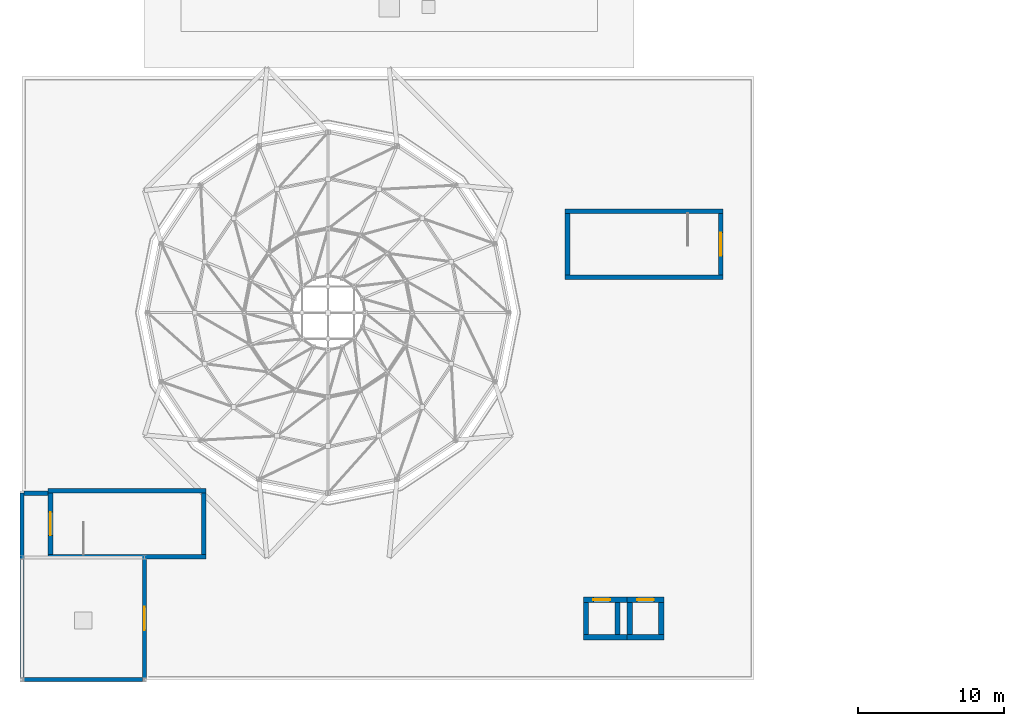
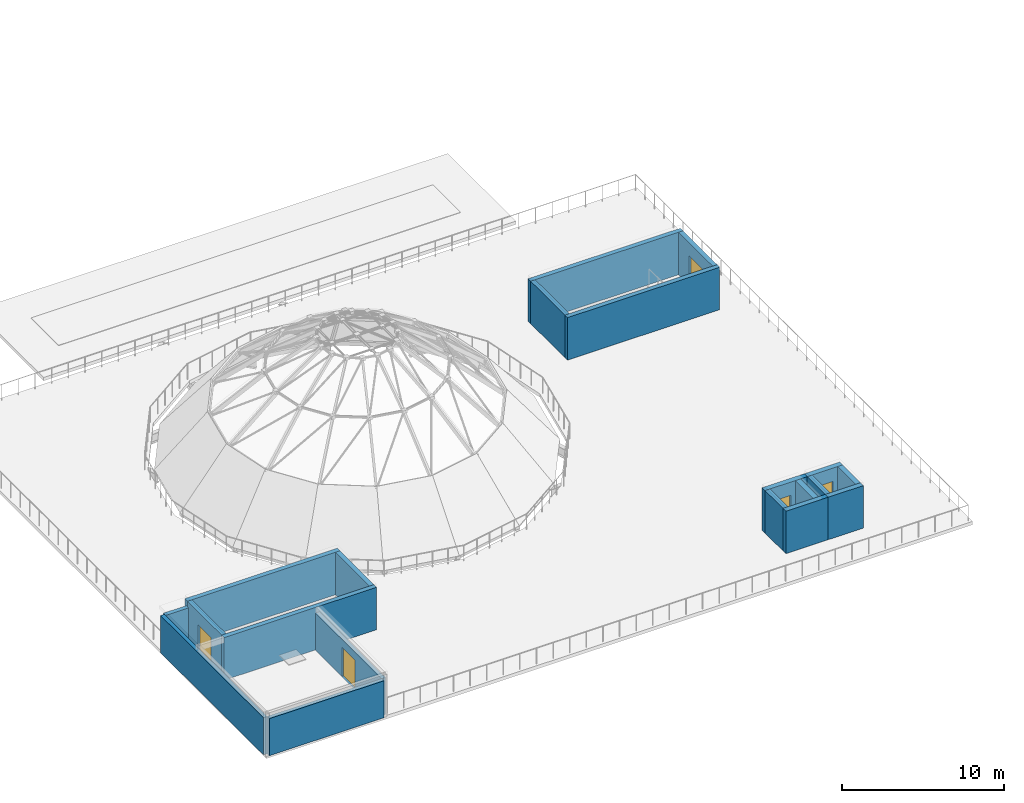
# One storey, part 21 of 40: 20 walls, 5 doors, 5 openings.
"""IFC4 building model written with IfcOpenShell, lengths in metres."""

import ifcopenshell
import ifcopenshell.guid

model = None  # the IFC model being written
_history = None  # IfcOwnerHistory: only IFC2X3 demands one
_inside = {}  # id of a spatial element -> (the spatial element, [elements in it])
_under = {}  # id of a project, library or spatial element -> (it, [spatial elements below it])
_declared = {}  # id of a project -> (the project, [libraries it declares])
_typed = {}  # id of a type object -> (the type object, [elements of that type])
_made_of = {}  # id of a material, layer set ... -> (it, [elements and type objects made of it])


def new_model(schema):
    """Start an empty IFC model of exactly this schema.

    Asked for "IFC4X3", IfcOpenShell would pick the latest addendum, in which some entities
    have other attributes; the version numbers below select the first issue.
    IFC2X3 requires an IfcOwnerHistory on every rooted entity: one is made here for all.
    """
    global model, _history
    if schema == "IFC4X3":
        model = ifcopenshell.file(schema_version=(4, 3, 0, 0))
    else:
        model = ifcopenshell.file(schema=schema)
    _inside.clear()
    _under.clear()
    _declared.clear()
    _typed.clear()
    _made_of.clear()
    _history = None
    if model.schema == "IFC2X3":
        org = make("IfcOrganization", Name="unknown")
        user = make(
            "IfcPersonAndOrganization",
            ThePerson=make("IfcPerson", FamilyName="unknown"),
            TheOrganization=org,
        )
        app = make(
            "IfcApplication",
            ApplicationDeveloper=org,
            Version="unknown",
            ApplicationFullName="unknown",
            ApplicationIdentifier="unknown",
        )
        _history = make(
            "IfcOwnerHistory",
            OwningUser=user,
            OwningApplication=app,
            ChangeAction="ADDED",
            CreationDate=0,
        )
    return model


def make(cls, **values):
    """One entity of the class cls with the attributes given. An attribute that is None is left unset."""
    return model.create_entity(
        cls, **{name: value for name, value in values.items() if value is not None}
    )


def rooted(cls, **values):
    """An entity with a GlobalId (a new one), such as an element, a storey or a relation."""
    return make(cls, GlobalId=ifcopenshell.guid.new(), OwnerHistory=_history, **values)


def si_unit(unit_type, name, prefix=None):
    """IfcSIUnit, for example si_unit("LENGTHUNIT", "METRE", prefix="MILLI")."""
    return make("IfcSIUnit", UnitType=unit_type, Prefix=prefix, Name=name)


def assignment(units):
    """IfcUnitAssignment: the units of a project."""
    return None if units is None else make("IfcUnitAssignment", Units=units)


def point(xyz):
    """IfcCartesianPoint."""
    return None if xyz is None else make("IfcCartesianPoint", Coordinates=xyz)


def direction(xyz):
    """IfcDirection."""
    return None if xyz is None else make("IfcDirection", DirectionRatios=xyz)


def frame(location, z_axis=None, x_axis=None):
    """IfcAxis2Placement3D, a coordinate frame: its origin and axes. An axis left out is left unset."""
    return make(
        "IfcAxis2Placement3D",
        Location=point(location),
        Axis=direction(z_axis),
        RefDirection=direction(x_axis),
    )


def frame_2d(location, x_axis=None):
    """IfcAxis2Placement2D, a coordinate frame in the plane: its origin and x axis."""
    return make(
        "IfcAxis2Placement2D", Location=point(location), RefDirection=direction(x_axis)
    )


def origin():
    """The frame at (0, 0, 0) with its axes left unset."""
    return frame((0.0, 0.0, 0.0))


def place(relative_to, where):
    """IfcLocalPlacement: puts the frame where relative to a parent placement (None: the world)."""
    return make(
        "IfcLocalPlacement", PlacementRelTo=relative_to, RelativePlacement=where
    )


def context(
    kind, dimensions, precision=None, world=None, true_north=None, identifier=None
):
    """IfcGeometricRepresentationContext, for example the 3D "Model" context."""
    return make(
        "IfcGeometricRepresentationContext",
        ContextIdentifier=identifier,
        ContextType=kind,
        CoordinateSpaceDimension=dimensions,
        Precision=precision,
        WorldCoordinateSystem=world,
        TrueNorth=true_north,
    )


def subcontext(parent, identifier, kind, view, scale=None):
    """IfcGeometricRepresentationSubContext, for example "Body" below "Model"."""
    return make(
        "IfcGeometricRepresentationSubContext",
        ContextIdentifier=identifier,
        ContextType=kind,
        ParentContext=parent,
        TargetScale=scale,
        TargetView=view,
    )


def project(units=None, contexts=None):
    """IfcProject with its units and contexts."""
    return rooted(
        "IfcProject",
        Name="project",
        RepresentationContexts=contexts,
        UnitsInContext=assignment(units),
    )


def spatial(cls, under=None, at=None, **own):
    """A site, building, storey or space (cls), placed at a placement, below another one or the project."""
    s = rooted(cls, ObjectPlacement=at, **own)
    if under is not None:
        _under.setdefault(under.id(), (under, []))[1].append(s)
    return s


def profile(cls, at=None, kind="AREA", **sizes):
    """A parametric profile (cls). Its sizes go by their IFC names, for example OverallWidth=200.0."""
    return make(cls, ProfileType=kind, Position=at, **sizes)


def rectangle(**sizes):
    """IfcRectangleProfileDef."""
    return profile("IfcRectangleProfileDef", **sizes)


def extrude(swept, where, along, depth):
    """IfcExtrudedAreaSolid: the profile swept, set in the frame where, extruded along a direction by depth."""
    return make(
        "IfcExtrudedAreaSolid",
        SweptArea=swept,
        Position=where,
        ExtrudedDirection=direction(along),
        Depth=depth,
    )


def shape(context_of_items, identifier, shape_type, items):
    """IfcShapeRepresentation: the items that make up one representation, for example the "Body"."""
    return make(
        "IfcShapeRepresentation",
        ContextOfItems=context_of_items,
        RepresentationIdentifier=identifier,
        RepresentationType=shape_type,
        Items=items,
    )


def material(Name=None, Category=None):
    """IfcMaterial."""
    return make("IfcMaterial", Name=Name, Category=Category)


def layer(
    of_material, thickness, ventilated=None, Name=None, Category=None, Priority=None
):
    """IfcMaterialLayer: one layer of a wall or slab, of a material (None: an air gap)."""
    return make(
        "IfcMaterialLayer",
        Material=of_material,
        LayerThickness=thickness,
        IsVentilated=ventilated,
        Name=Name,
        Category=Category,
        Priority=Priority,
    )


def layer_set(layers, Name=None):
    """IfcMaterialLayerSet."""
    return make("IfcMaterialLayerSet", MaterialLayers=layers, LayerSetName=Name)


def made_of(thing, what):
    """Note that an element or type object is made of a material, layer set ...; save() writes the relation."""
    if what is not None:
        _made_of.setdefault(what.id(), (what, []))[1].append(thing)
    return thing


def type_object(cls, material=None, **own):
    """A type object (cls), such as IfcWallType, which elements share."""
    return made_of(rooted(cls, **own), material)


def element(
    cls,
    number,
    at=None,
    inside=None,
    cuts=None,
    type_object=None,
    material=None,
    context=None,
    identifier="Body",
    shape_type=None,
    held_by="IfcProductDefinitionShape",
    body=None,
    shapes=None,
    **own,
):
    """One element of the class cls, such as IfcWall. Its Tag is "e" and its number.

    at: its placement. inside: the storey or other place that contains it. cuts: it is an
    opening in that element (IfcRelVoidsElement). A single representation is given by context,
    identifier, shape_type and body (its items); several are given by shapes. held_by: the class
    of the entity that holds the representations. save() writes the other relations.
    """
    e = rooted(cls, Tag="e%d" % number, ObjectPlacement=at, **own)
    if body is not None:
        shapes = [shape(context, identifier, shape_type, body)]
    if shapes is not None:
        e.Representation = make(held_by, Representations=shapes)
    if inside is not None:
        _inside.setdefault(inside.id(), (inside, []))[1].append(e)
    if cuts is not None:
        rooted(
            "IfcRelVoidsElement", RelatingBuildingElement=cuts, RelatedOpeningElement=e
        )
    if type_object is not None:
        _typed.setdefault(type_object.id(), (type_object, []))[1].append(e)
    return made_of(e, material)


def fill(opening, filler):
    """IfcRelFillsElement: the door or window that sits in an opening."""
    return rooted(
        "IfcRelFillsElement",
        RelatingOpeningElement=opening,
        RelatedBuildingElement=filler,
    )


def aggregate(whole, parts):
    """IfcRelAggregates: a whole, such as a stair, and the parts it consists of."""
    return rooted("IfcRelAggregates", RelatingObject=whole, RelatedObjects=parts)


def save(model, path):
    """Write the relations noted so far, then the file.

    IfcRelAggregates (storeys below a building ...), IfcRelContainedInSpatialStructure (elements
    in a storey), IfcRelDefinesByType, IfcRelAssociatesMaterial and IfcRelDeclares: one each for
    every whole, place, type object, material and project.
    """
    for whole, parts in _under.values():
        aggregate(whole, parts)
    for where, things in _inside.values():
        rooted(
            "IfcRelContainedInSpatialStructure",
            RelatedElements=things,
            RelatingStructure=where,
        )
    for kind, things in _typed.values():
        rooted("IfcRelDefinesByType", RelatedObjects=things, RelatingType=kind)
    for what, things in _made_of.values():
        rooted("IfcRelAssociatesMaterial", RelatedObjects=things, RelatingMaterial=what)
    for by, libraries in _declared.values():
        rooted("IfcRelDeclares", RelatingContext=by, RelatedDefinitions=libraries)
    model.write(path)


model = new_model("IFC4")

# Units and contexts
model_context = context("Model", 3, precision=1e-05, world=origin(), true_north=direction((0.0, 1.0)))
body_context = subcontext(model_context, "Body", "Model", "MODEL_VIEW")
ifc_project = project(units=[si_unit("LENGTHUNIT", "METRE"), si_unit("AREAUNIT", "SQUARE_METRE"), si_unit("VOLUMEUNIT", "CUBIC_METRE"), si_unit("PLANEANGLEUNIT", "RADIAN"), si_unit("MASSUNIT", "GRAM", prefix="KILO"), si_unit("THERMODYNAMICTEMPERATUREUNIT", "KELVIN")], contexts=[model_context])

# Site, building, storey
site_placement = place(None, origin())
site = spatial("IfcSite", under=ifc_project, at=site_placement, CompositionType="ELEMENT")
building_placement = place(site_placement, origin())
building = spatial("IfcBuilding", under=site, at=building_placement, Name="Lustrewick Department Store", CompositionType="ELEMENT")
storey_placement = place(building_placement, frame((0.0, 0.0, 31.800048828125)))
storey = spatial("IfcBuildingStorey", under=building, at=storey_placement, Name="L07", CompositionType="ELEMENT", Elevation=31.800048828125)

# Wall, opening, door
ifc_material_1 = material(Name="Precast concrete C40", Category="concrete")
ifc_layer_1 = layer(ifc_material_1, 0.280029296875, Name="Precast concrete C40")
ifc_layer_set_1 = layer_set([ifc_layer_1], Name="Precast concrete C40")
wall_type_1 = type_object("IfcWallType", Name="EW03", PredefinedType="STANDARD", material=ifc_layer_set_1)
wall_1_placement = place(storey_placement, frame((16.800048828125, 42.125, 0.0), z_axis=(0.0, 0.0, 1.0), x_axis=(0.0, 1.0, 0.0)))
wall_1 = element("IfcWall", 1, at=wall_1_placement, inside=storey, type_object=wall_type_1, Name="L07 Refuge Lounge Enclosure Wall F", PredefinedType="STANDARD", context=body_context, shape_type="SweptSolid", body=[
    extrude(rectangle(XDim=8.14990234375, YDim=0.280029296875, at=frame_2d((4.074951171875, 0.0))), origin(), (0.0, 0.0, 1.0), 2.7900390625),
])
opening_1_placement = place(wall_1_placement, frame((3.27490234375, 0.0, 0.0)))
opening_1 = element("IfcOpeningElement", 2, at=opening_1_placement, cuts=wall_1, Name="Opening D-TR01", PredefinedType="OPENING", context=body_context, shape_type="SweptSolid", body=[
    extrude(rectangle(XDim=1.60009765625, YDim=2.199951171875, at=frame_2d((0.800048828125, 1.10009765625))), frame((0.0, 0.14990234375, 0.0), z_axis=(0.0, -1.0, 0.0), x_axis=(1.0, 0.0, 0.0)), (0.0, 0.0, 1.0), 0.300048828125),
])
ifc_material_2 = material(Name="Steel fire-rated terrace exit door EI 60", Category="steel")
door_type_1 = type_object("IfcDoorType", Name="DT-03", OperationType="NOTDEFINED", PredefinedType="DOOR", material=ifc_material_2)
door_1_placement = place(opening_1_placement, origin())
door_1 = element("IfcDoor", 3, at=door_1_placement, inside=storey, type_object=door_type_1, Name="L07 Terrace and Refuge Access Door D-TR01", OperationType="DOUBLE_DOOR_SINGLE_SWING", OverallHeight=2.199951171875, OverallWidth=1.60009765625, PredefinedType="DOOR", context=body_context, shape_type="SweptSolid", body=[
    extrude(rectangle(XDim=1.60009765625, YDim=2.199951171875, at=frame_2d((0.800048828125, 1.10009765625))), frame((0.0, 0.02490234375, 0.0), z_axis=(0.0, -1.0, 0.0), x_axis=(1.0, 0.0, 0.0)), (0.0, 0.0, 1.0), 0.050048828125),
])
fill(opening_1, door_1)

# Walls
wall_2_placement = place(storey_placement, frame((16.675048828125, 42.0, 0.0), z_axis=(0.0, 0.0, 1.0), x_axis=(-1.0, 0.0, 0.0)))
element("IfcWall", 4, at=wall_2_placement, inside=storey, type_object=wall_type_1, Name="L07 Refuge Lounge Enclosure Wall B", PredefinedType="STANDARD", context=body_context, shape_type="SweptSolid", body=[
    extrude(rectangle(XDim=8.150146484375, YDim=0.280029296875, at=frame_2d((4.0751953125, 0.0))), origin(), (0.0, 0.0, 1.0), 2.7900390625),
])
wall_3_placement = place(storey_placement, frame((8.39990234375, 42.125, 0.0), z_axis=(0.0, 0.0, 1.0), x_axis=(0.0, 1.0, 0.0)))
element("IfcWall", 5, at=wall_3_placement, inside=storey, type_object=wall_type_1, Name="L07 Refuge Lounge Enclosure Wall L", PredefinedType="STANDARD", context=body_context, shape_type="SweptSolid", body=[
    extrude(rectangle(XDim=12.675048828125, YDim=0.280029296875, at=frame_2d((6.33740234375, 0.0))), origin(), (0.0, 0.0, 1.0), 2.7900390625),
])
wall_4_placement = place(storey_placement, frame((10.179931640625, 54.800048828125, 0.0), z_axis=(0.0, 0.0, 1.0), x_axis=(-1.0, 0.0, 0.0)))
element("IfcWall", 6, at=wall_4_placement, inside=storey, type_object=wall_type_1, Name="L07 Refuge Lounge Enclosure Wall N2", PredefinedType="STANDARD", context=body_context, shape_type="SweptSolid", body=[
    extrude(rectangle(XDim=1.639892578125, YDim=0.280029296875, at=frame_2d((0.81982421875, 0.0))), origin(), (0.0, 0.0, 1.0), 2.7900390625),
])
ifc_material_3 = material(Name="Concrete C40", Category="concrete")
ifc_layer_2 = layer(ifc_material_3, 0.360107421875, Name="Concrete C40")
ifc_layer_set_2 = layer_set([ifc_layer_2], Name="Concrete C40")
wall_type_2 = type_object("IfcWallType", Name="SW04", PredefinedType="SHEAR", material=ifc_layer_set_2)
wall_5_placement = place(storey_placement, frame((46.93994140625, 44.919921875, 0.0), z_axis=(0.0, 0.0, 1.0), x_axis=(1.0, 0.0, 0.0)))
element("IfcWall", 7, at=wall_5_placement, inside=storey, type_object=wall_type_2, Name="L07 Lift PL-01 Shaft Wall -Y", PredefinedType="SHEAR", context=body_context, shape_type="SweptSolid", body=[
    extrude(rectangle(XDim=3.0, YDim=0.360107421875, at=frame_2d((1.5, 0.0))), origin(), (0.0, 0.0, 1.0), 3.199951171875),
])
wall_6_placement = place(storey_placement, frame((49.280029296875, 45.10009765625, 0.0), z_axis=(0.0, 0.0, 1.0), x_axis=(0.0, 1.0, 0.0)))
element("IfcWall", 8, at=wall_6_placement, inside=storey, type_object=wall_type_2, Name="L07 Lift PL-01 Shaft Wall +X", PredefinedType="SHEAR", context=body_context, shape_type="SweptSolid", body=[
    extrude(rectangle(XDim=2.199951171875, YDim=0.360107421875, at=frame_2d((1.10009765625, 0.0))), origin(), (0.0, 0.0, 1.0), 3.199951171875),
])

# Wall, opening, door
wall_7_placement = place(storey_placement, frame((49.93994140625, 47.47998046875, 0.0), z_axis=(0.0, 0.0, 1.0), x_axis=(-1.0, 0.0, 0.0)))
wall_7 = element("IfcWall", 9, at=wall_7_placement, inside=storey, type_object=wall_type_2, Name="L07 Lift PL-01 Shaft Wall +Y", PredefinedType="SHEAR", context=body_context, shape_type="SweptSolid", body=[
    extrude(rectangle(XDim=3.0, YDim=0.360107421875, at=frame_2d((1.5, 0.0))), origin(), (0.0, 0.0, 1.0), 3.199951171875),
])
opening_2_placement = place(wall_7_placement, frame((1.1650390625, 0.0, 0.0)))
opening_2 = element("IfcOpeningElement", 10, at=opening_2_placement, cuts=wall_7, Name="Opening LD-L07-03", PredefinedType="OPENING", context=body_context, shape_type="SweptSolid", body=[
    extrude(rectangle(XDim=1.14990234375, YDim=2.199951171875, at=frame_2d((0.574951171875, 1.10009765625))), frame((0.0, 0.18994140625, 0.0), z_axis=(0.0, -1.0, 0.0), x_axis=(1.0, 0.0, 0.0)), (0.0, 0.0, 1.0), 0.380126953125),
])
ifc_material_4 = material(Name="Brushed bronze passenger lift landing door EI 60", Category="steel")
door_type_2 = type_object("IfcDoorType", Name="DT-16", OperationType="NOTDEFINED", PredefinedType="DOOR", material=ifc_material_4)
door_2_placement = place(opening_2_placement, frame((1.14990234375, 0.0, 0.0), z_axis=(0.0, 0.0, 1.0), x_axis=(-1.0, 0.0, 0.0)))
door_2 = element("IfcDoor", 11, at=door_2_placement, inside=storey, type_object=door_type_2, Name="L07 Lift PL-01 Sliding Landing Door LD-L07-03", OperationType="DOUBLE_DOOR_SLIDING", OverallHeight=2.199951171875, OverallWidth=1.14990234375, PredefinedType="DOOR", context=body_context, shape_type="SweptSolid", body=[
    extrude(rectangle(XDim=1.14990234375, YDim=2.199951171875, at=frame_2d((0.574951171875, 1.10009765625))), frame((0.0, 0.02490234375, 0.0), z_axis=(0.0, -1.0, 0.0), x_axis=(1.0, 0.0, 0.0)), (0.0, 0.0, 1.0), 0.050048828125),
])
fill(opening_2, door_2)

# Walls
wall_8_placement = place(storey_placement, frame((47.1201171875, 47.300048828125, 0.0), z_axis=(0.0, 0.0, 1.0), x_axis=(0.0, -1.0, 0.0)))
element("IfcWall", 12, at=wall_8_placement, inside=storey, type_object=wall_type_2, Name="L07 Lift PL-01 Shaft Wall -X", PredefinedType="SHEAR", context=body_context, shape_type="SweptSolid", body=[
    extrude(rectangle(XDim=2.199951171875, YDim=0.360107421875, at=frame_2d((1.10009765625, 0.0))), origin(), (0.0, 0.0, 1.0), 3.199951171875),
])
wall_9_placement = place(storey_placement, frame((49.93994140625, 44.919921875, 0.0), z_axis=(0.0, 0.0, 1.0), x_axis=(1.0, 0.0, 0.0)))
element("IfcWall", 13, at=wall_9_placement, inside=storey, type_object=wall_type_2, Name="L07 Lift PL-02 Shaft Wall -Y", PredefinedType="SHEAR", context=body_context, shape_type="SweptSolid", body=[
    extrude(rectangle(XDim=2.52001953125, YDim=0.360107421875, at=frame_2d((1.260009765625, 0.0))), origin(), (0.0, 0.0, 1.0), 3.199951171875),
])
wall_10_placement = place(storey_placement, frame((52.280029296875, 45.10009765625, 0.0), z_axis=(0.0, 0.0, 1.0), x_axis=(0.0, 1.0, 0.0)))
element("IfcWall", 14, at=wall_10_placement, inside=storey, type_object=wall_type_2, Name="L07 Lift PL-02 Shaft Wall +X", PredefinedType="SHEAR", context=body_context, shape_type="SweptSolid", body=[
    extrude(rectangle(XDim=2.199951171875, YDim=0.360107421875, at=frame_2d((1.10009765625, 0.0))), origin(), (0.0, 0.0, 1.0), 3.199951171875),
])

# Wall, opening, door
wall_11_placement = place(storey_placement, frame((52.4599609375, 47.47998046875, 0.0), z_axis=(0.0, 0.0, 1.0), x_axis=(-1.0, 0.0, 0.0)))
wall_11 = element("IfcWall", 15, at=wall_11_placement, inside=storey, type_object=wall_type_2, Name="L07 Lift PL-02 Shaft Wall +Y", PredefinedType="SHEAR", context=body_context, shape_type="SweptSolid", body=[
    extrude(rectangle(XDim=2.52001953125, YDim=0.360107421875, at=frame_2d((1.260009765625, 0.0))), origin(), (0.0, 0.0, 1.0), 3.199951171875),
])
opening_3_placement = place(wall_11_placement, frame((0.68505859375, 0.0, 0.0)))
opening_3 = element("IfcOpeningElement", 16, at=opening_3_placement, cuts=wall_11, Name="Opening LD-L07-04", PredefinedType="OPENING", context=body_context, shape_type="SweptSolid", body=[
    extrude(rectangle(XDim=1.14990234375, YDim=2.199951171875, at=frame_2d((0.574951171875, 1.10009765625))), frame((0.0, 0.18994140625, 0.0), z_axis=(0.0, -1.0, 0.0), x_axis=(1.0, 0.0, 0.0)), (0.0, 0.0, 1.0), 0.380126953125),
])
door_3_placement = place(opening_3_placement, frame((1.14990234375, 0.0, 0.0), z_axis=(0.0, 0.0, 1.0), x_axis=(-1.0, 0.0, 0.0)))
door_3 = element("IfcDoor", 17, at=door_3_placement, inside=storey, type_object=door_type_2, Name="L07 Lift PL-02 Sliding Landing Door LD-L07-04", OperationType="DOUBLE_DOOR_SLIDING", OverallHeight=2.199951171875, OverallWidth=1.14990234375, PredefinedType="DOOR", context=body_context, shape_type="SweptSolid", body=[
    extrude(rectangle(XDim=1.14990234375, YDim=2.199951171875, at=frame_2d((0.574951171875, 1.10009765625))), frame((0.0, 0.02490234375, 0.0), z_axis=(0.0, -1.0, 0.0), x_axis=(1.0, 0.0, 0.0)), (0.0, 0.0, 1.0), 0.050048828125),
])
fill(opening_3, door_3)

# Walls
wall_12_placement = place(storey_placement, frame((50.1201171875, 47.300048828125, 0.0), z_axis=(0.0, 0.0, 1.0), x_axis=(0.0, -1.0, 0.0)))
element("IfcWall", 18, at=wall_12_placement, inside=storey, type_object=wall_type_2, Name="L07 Lift PL-02 Shaft Wall -X", PredefinedType="SHEAR", context=body_context, shape_type="SweptSolid", body=[
    extrude(rectangle(XDim=2.199951171875, YDim=0.360107421875, at=frame_2d((1.10009765625, 0.0))), origin(), (0.0, 0.0, 1.0), 3.199951171875),
])
ifc_layer_3 = layer(ifc_material_3, 0.320068359375, Name="Concrete C40")
ifc_layer_set_3 = layer_set([ifc_layer_3], Name="Concrete C40")
wall_type_3 = type_object("IfcWallType", Name="SW06", PredefinedType="SHEAR", material=ifc_layer_set_3)
wall_13_placement = place(storey_placement, frame((10.179931640625, 50.43994140625, 0.0), z_axis=(0.0, 0.0, 1.0), x_axis=(1.0, 0.0, 0.0)))
element("IfcWall", 19, at=wall_13_placement, inside=storey, type_object=wall_type_3, Name="L07 Stair Core ST01 Shear Wall S", PredefinedType="SHEAR", context=body_context, shape_type="SweptSolid", body=[
    extrude(rectangle(XDim=10.840087890625, YDim=0.320068359375, at=frame_2d((5.419921875, 0.0))), origin(), (0.0, 0.0, 1.0), 3.199951171875),
])
wall_14_placement = place(storey_placement, frame((20.860107421875, 50.60009765625, 0.0), z_axis=(0.0, 0.0, 1.0), x_axis=(0.0, 1.0, 0.0)))
element("IfcWall", 20, at=wall_14_placement, inside=storey, type_object=wall_type_3, Name="L07 Stair Core ST01 Shear Wall E", PredefinedType="SHEAR", context=body_context, shape_type="SweptSolid", body=[
    extrude(rectangle(XDim=4.199951171875, YDim=0.320068359375, at=frame_2d((2.10009765625, 0.0))), origin(), (0.0, 0.0, 1.0), 3.199951171875),
])
wall_15_placement = place(storey_placement, frame((21.02001953125, 54.9599609375, 0.0), z_axis=(0.0, 0.0, 1.0), x_axis=(-1.0, 0.0, 0.0)))
element("IfcWall", 21, at=wall_15_placement, inside=storey, type_object=wall_type_3, Name="L07 Stair Core ST01 Shear Wall N", PredefinedType="SHEAR", context=body_context, shape_type="SweptSolid", body=[
    extrude(rectangle(XDim=10.840087890625, YDim=0.320068359375, at=frame_2d((5.419921875, 0.0))), origin(), (0.0, 0.0, 1.0), 3.199951171875),
])

# Wall, opening, door
wall_16_placement = place(storey_placement, frame((10.340087890625, 54.800048828125, 0.0), z_axis=(0.0, 0.0, 1.0), x_axis=(0.0, -1.0, 0.0)))
wall_16 = element("IfcWall", 22, at=wall_16_placement, inside=storey, type_object=wall_type_3, Name="L07 Stair Core ST01 Shear Wall W", PredefinedType="SHEAR", context=body_context, shape_type="SweptSolid", body=[
    extrude(rectangle(XDim=4.199951171875, YDim=0.320068359375, at=frame_2d((2.10009765625, 0.0))), origin(), (0.0, 0.0, 1.0), 3.199951171875),
])
opening_4_placement = place(wall_16_placement, frame((1.300048828125, 0.0, 0.0)))
opening_4 = element("IfcOpeningElement", 23, at=opening_4_placement, cuts=wall_16, Name="Opening D-L07-001", PredefinedType="OPENING", context=body_context, shape_type="SweptSolid", body=[
    extrude(rectangle(XDim=1.60009765625, YDim=2.199951171875, at=frame_2d((0.800048828125, 1.10009765625))), frame((0.0, 0.169921875, 0.0), z_axis=(0.0, -1.0, 0.0), x_axis=(1.0, 0.0, 0.0)), (0.0, 0.0, 1.0), 0.340087890625),
])
door_4_placement = place(opening_4_placement, frame((1.60009765625, 0.0, 0.0), z_axis=(0.0, 0.0, 1.0), x_axis=(-1.0, 0.0, 0.0)))
door_4 = element("IfcDoor", 24, at=door_4_placement, inside=storey, type_object=door_type_1, Name="L07 Stair ST01 Refuge Platform Exit Door", OperationType="DOUBLE_DOOR_SINGLE_SWING", OverallHeight=2.199951171875, OverallWidth=1.60009765625, PredefinedType="DOOR", context=body_context, shape_type="SweptSolid", body=[
    extrude(rectangle(XDim=1.60009765625, YDim=2.199951171875, at=frame_2d((0.800048828125, 1.10009765625))), frame((0.0, 0.02490234375, 0.0), z_axis=(0.0, -1.0, 0.0), x_axis=(1.0, 0.0, 0.0)), (0.0, 0.0, 1.0), 0.050048828125),
])
fill(opening_4, door_4)

# Wall
wall_17_placement = place(storey_placement, frame((45.679931640625, 69.639892578125, 0.0), z_axis=(0.0, 0.0, 1.0), x_axis=(1.0, 0.0, 0.0)))
element("IfcWall", 25, at=wall_17_placement, inside=storey, type_object=wall_type_3, Name="L07 Stair Core ST02 Shear Wall S", PredefinedType="SHEAR", context=body_context, shape_type="SweptSolid", body=[
    extrude(rectangle(XDim=10.840087890625, YDim=0.320068359375, at=frame_2d((5.419921875, 0.0))), origin(), (0.0, 0.0, 1.0), 3.199951171875),
])

# Wall, opening, door
wall_18_placement = place(storey_placement, frame((56.360107421875, 69.800048828125, 0.0), z_axis=(0.0, 0.0, 1.0), x_axis=(0.0, 1.0, 0.0)))
wall_18 = element("IfcWall", 26, at=wall_18_placement, inside=storey, type_object=wall_type_3, Name="L07 Stair Core ST02 Shear Wall E", PredefinedType="SHEAR", context=body_context, shape_type="SweptSolid", body=[
    extrude(rectangle(XDim=4.199951171875, YDim=0.320068359375, at=frame_2d((2.10009765625, 0.0))), origin(), (0.0, 0.0, 1.0), 3.199951171875),
])
opening_5_placement = place(wall_18_placement, frame((1.300048828125, 0.0, 0.0)))
opening_5 = element("IfcOpeningElement", 27, at=opening_5_placement, cuts=wall_18, Name="Opening D-L07-002", PredefinedType="OPENING", context=body_context, shape_type="SweptSolid", body=[
    extrude(rectangle(XDim=1.60009765625, YDim=2.199951171875, at=frame_2d((0.800048828125, 1.10009765625))), frame((0.0, 0.169921875, 0.0), z_axis=(0.0, -1.0, 0.0), x_axis=(1.0, 0.0, 0.0)), (0.0, 0.0, 1.0), 0.340087890625),
])
door_5_placement = place(opening_5_placement, frame((1.60009765625, 0.0, 0.0), z_axis=(0.0, 0.0, 1.0), x_axis=(-1.0, 0.0, 0.0)))
door_5 = element("IfcDoor", 28, at=door_5_placement, inside=storey, type_object=door_type_1, Name="L07 Stair ST02 Refuge Platform Exit Door", OperationType="DOUBLE_DOOR_SINGLE_SWING", OverallHeight=2.199951171875, OverallWidth=1.60009765625, PredefinedType="DOOR", context=body_context, shape_type="SweptSolid", body=[
    extrude(rectangle(XDim=1.60009765625, YDim=2.199951171875, at=frame_2d((0.800048828125, 1.10009765625))), frame((0.0, 0.02490234375, 0.0), z_axis=(0.0, -1.0, 0.0), x_axis=(1.0, 0.0, 0.0)), (0.0, 0.0, 1.0), 0.050048828125),
])
fill(opening_5, door_5)

# Walls
wall_19_placement = place(storey_placement, frame((56.52001953125, 74.159912109375, 0.0), z_axis=(0.0, 0.0, 1.0), x_axis=(-1.0, 0.0, 0.0)))
element("IfcWall", 29, at=wall_19_placement, inside=storey, type_object=wall_type_3, Name="L07 Stair Core ST02 Shear Wall N", PredefinedType="SHEAR", context=body_context, shape_type="SweptSolid", body=[
    extrude(rectangle(XDim=10.840087890625, YDim=0.320068359375, at=frame_2d((5.419921875, 0.0))), origin(), (0.0, 0.0, 1.0), 3.199951171875),
])
wall_20_placement = place(storey_placement, frame((45.840087890625, 74.0, 0.0), z_axis=(0.0, 0.0, 1.0), x_axis=(0.0, -1.0, 0.0)))
element("IfcWall", 30, at=wall_20_placement, inside=storey, type_object=wall_type_3, Name="L07 Stair Core ST02 Shear Wall W", PredefinedType="SHEAR", context=body_context, shape_type="SweptSolid", body=[
    extrude(rectangle(XDim=4.199951171875, YDim=0.320068359375, at=frame_2d((2.10009765625, 0.0))), origin(), (0.0, 0.0, 1.0), 3.199951171875),
])

save(model, "model.ifc")
